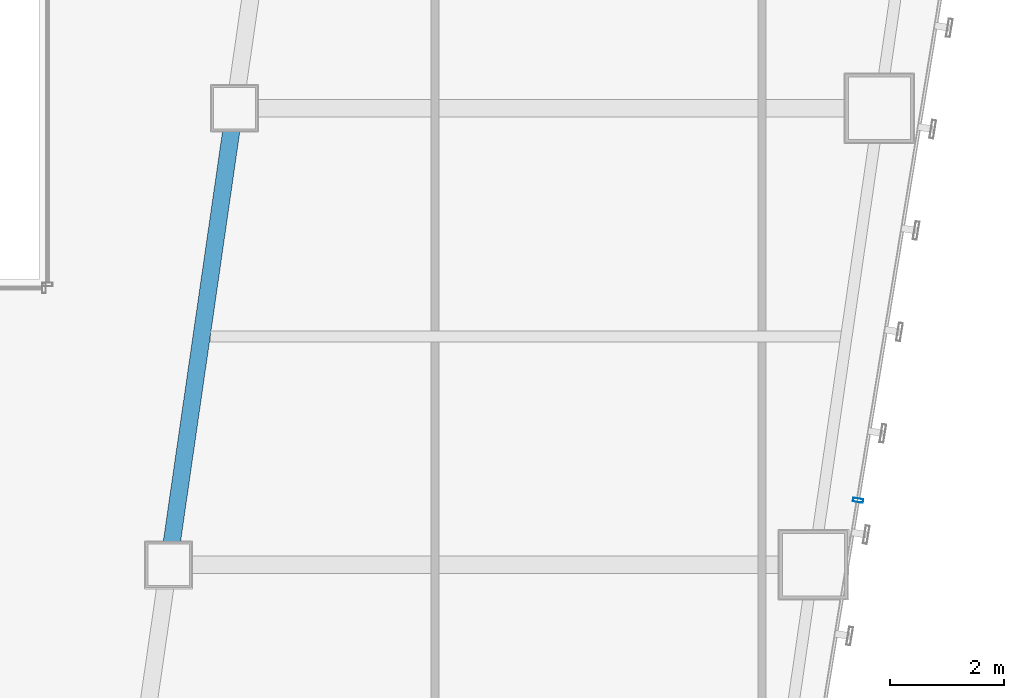
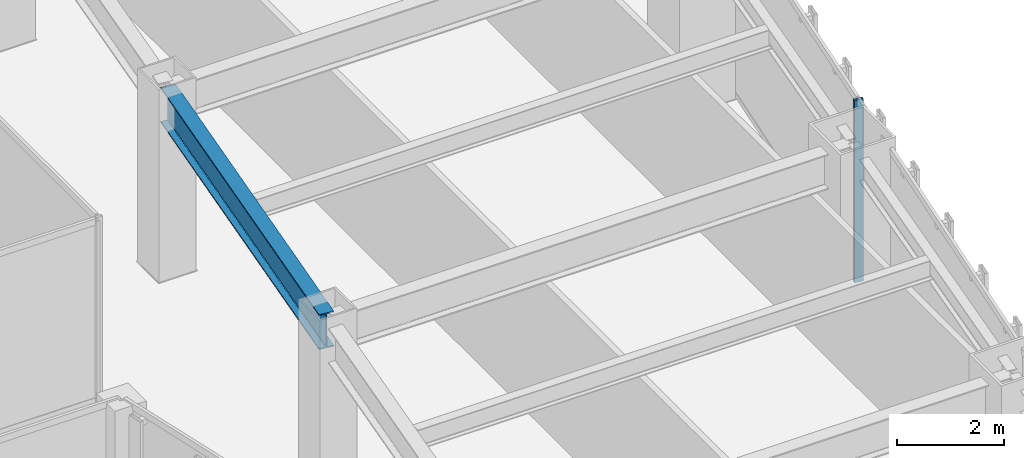
# One storey, part 17 of 49: 1 beam, 1 member, 1 element without a shape of its own.
"""IFC4 building model written with IfcOpenShell, lengths in metres."""

from ifc_helpers import new_model, si_unit, direction, frame, origin, origin_2d, place, context, subcontext, project, spatial, hollow_rectangle, i_section, extrude, material, material_profile, profile_set, type_object, element, aggregate, save


model = new_model("IFC4")

# Units and contexts
model_context = context("Model", 3, precision=1e-05, world=origin(), true_north=direction((0.0, 1.0)))
body_context = subcontext(model_context, "Body", "Model", "MODEL_VIEW")
ifc_project = project(units=[si_unit("LENGTHUNIT", "METRE"), si_unit("AREAUNIT", "SQUARE_METRE"), si_unit("VOLUMEUNIT", "CUBIC_METRE"), si_unit("PLANEANGLEUNIT", "RADIAN"), si_unit("MASSUNIT", "GRAM", prefix="KILO")], contexts=[model_context])

# Site, building, storey
site_placement = place(None, origin())
site = spatial("IfcSite", under=ifc_project, at=site_placement, CompositionType="ELEMENT")
building_placement = place(site_placement, origin())
building = spatial("IfcBuilding", under=site, at=building_placement, Name="Saevonmaru Cultural Tower", CompositionType="ELEMENT")
storey_placement = place(building_placement, frame((0.0, 0.0, 38.39990234375)))
storey = spatial("IfcBuildingStorey", under=building, at=storey_placement, Name="L07", CompositionType="ELEMENT", Elevation=38.39990234375)

# Beam
ifc_material_1 = material(Name="Steel SM420", Category="steel")
ifc_material_profile_1 = material_profile(ifc_material_1, i_section(OverallWidth=0.300048828125, OverallDepth=0.800048828125, WebThickness=0.013916015625, FlangeThickness=0.02587890625, FilletRadius=0.028076171875, at=origin_2d()), Name="H-800x300x14x26")
ifc_profile_set_1 = profile_set([ifc_material_profile_1], Name="Steel SM420")
beam_type = type_object("IfcBeamType", Name="BM-G-H800", PredefinedType="BEAM", material=ifc_profile_set_1)
beam_placement = place(storey_placement, frame((38.08056640625, 16.059326171875, 3.75), z_axis=(0.143022161059, 0.989719486241, 0.0), x_axis=(-0.989719486241, 0.143022161059, 0.0)))
element("IfcBeam", 1, at=beam_placement, inside=storey, type_object=beam_type, Name="L07 East Atrium Girder 3", PredefinedType="BEAM", context=body_context, shape_type="SweptSolid", body=[
    extrude(i_section(OverallWidth=0.300048828125, OverallDepth=0.800048828125, WebThickness=0.013916015625, FlangeThickness=0.02587890625, FilletRadius=0.028076171875, at=origin_2d()), origin(), (0.0, 0.0, 1.0), 7.963134765625),
])

# Curtain wall, member
ifc_material_2 = material(Name="Satin Bronze Anodised Aluminium", Category="aluminium")
curtain_wall_type = type_object("IfcCurtainWallType", Name="CW-TYP-A", PredefinedType="NOTDEFINED", material=ifc_material_2)
curtain_wall_placement = place(storey_placement, origin())
curtain_wall = element("IfcCurtainWall", 2, at=curtain_wall_placement, inside=storey, type_object=curtain_wall_type, Name="L07 Unitised Curtain Wall E8", PredefinedType="NOTDEFINED")
ifc_material_profile_2 = material_profile(ifc_material_2, hollow_rectangle(XDim=0.06494140625, YDim=0.179931640625, WallThickness=0.00390625, at=origin_2d()), Name="ALU-MULL-180x65x4")
ifc_profile_set_2 = profile_set([ifc_material_profile_2], Name="Satin Bronze Anodised Aluminium")
member_type = type_object("IfcMemberType", Name="ML-CW-180x65", PredefinedType="MULLION", material=ifc_profile_set_2)
member_placement = place(storey_placement, frame((50.15478515625, 17.129638671875, 0.0), z_axis=(0.0, 0.0, 1.0), x_axis=(0.161708868641, 0.986838508472, 0.0)))
member = element("IfcMember", 3, at=member_placement, type_object=member_type, Name="CW-TW-L07-E8 mullion 2", PredefinedType="MULLION", context=body_context, shape_type="SweptSolid", body=[
    extrude(hollow_rectangle(XDim=0.06494140625, YDim=0.179931640625, WallThickness=0.00390625, at=origin_2d()), origin(), (0.0, 0.0, 1.0), 4.150146484375),
])
aggregate(curtain_wall, [member])

save(model, "model.ifc")
